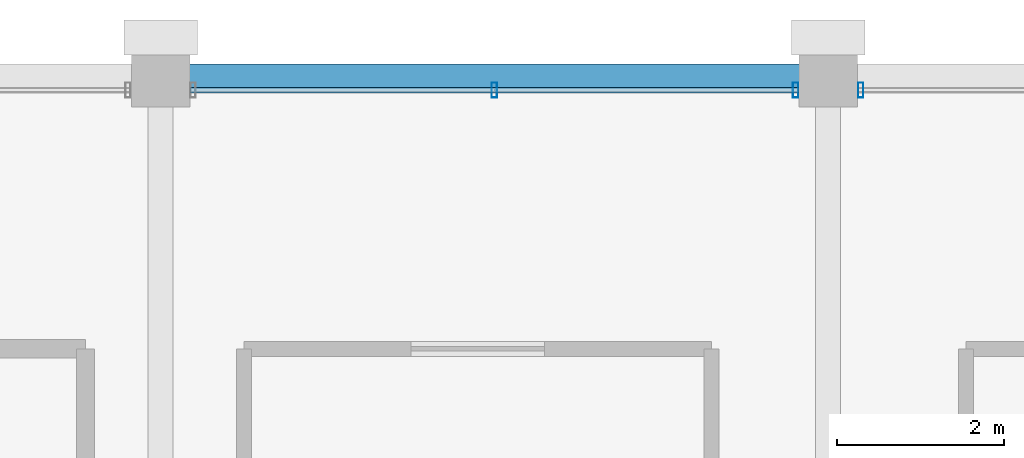
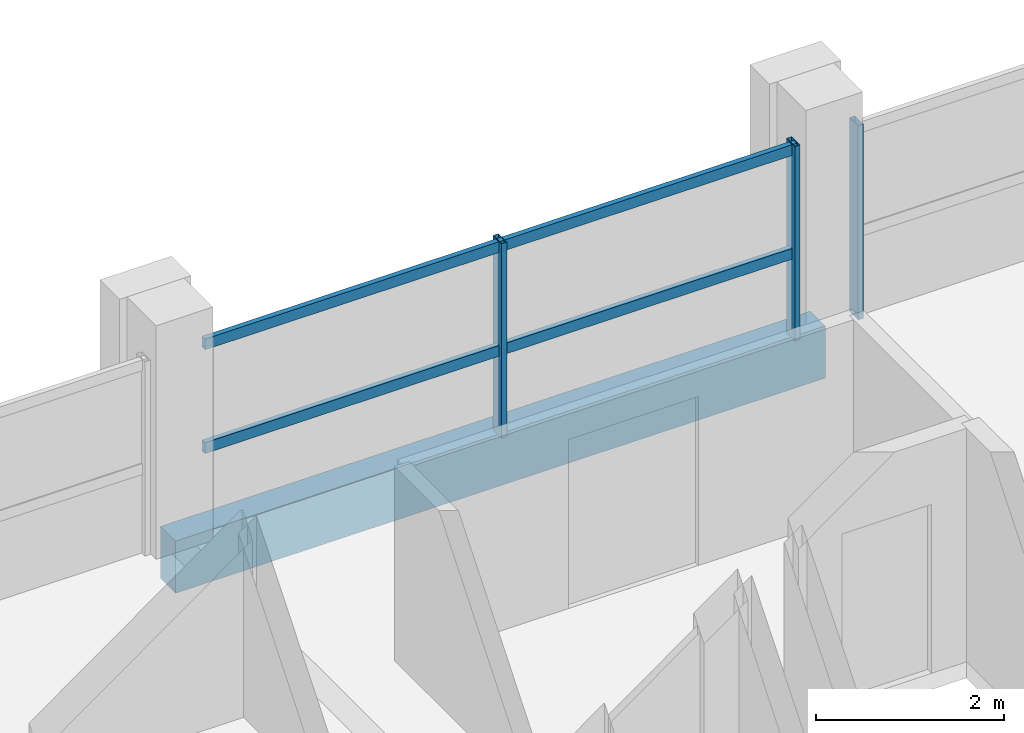
# One storey, part 16 of 24: 5 members, 1 beam, 2 elements without a shape of their own.
"""IFC4 building model written with IfcOpenShell, lengths in metres."""

from ifc_helpers import new_model, si_unit, direction, frame, origin, origin_2d, place, context, subcontext, project, spatial, rectangle, hollow_rectangle, extrude, material, material_profile, profile_set, type_object, element, aggregate, save


model = new_model("IFC4")

# Units and contexts
model_context = context("Model", 3, precision=1e-05, world=origin(), true_north=direction((0.0, 1.0)))
body_context = subcontext(model_context, "Body", "Model", "MODEL_VIEW")
ifc_project = project(units=[si_unit("LENGTHUNIT", "METRE"), si_unit("AREAUNIT", "SQUARE_METRE"), si_unit("VOLUMEUNIT", "CUBIC_METRE"), si_unit("PLANEANGLEUNIT", "RADIAN"), si_unit("MASSUNIT", "GRAM", prefix="KILO")], contexts=[model_context])

# Site, building, storey
site_placement = place(None, origin())
site = spatial("IfcSite", under=ifc_project, at=site_placement, CompositionType="ELEMENT")
building_placement = place(site_placement, origin())
building = spatial("IfcBuilding", under=site, at=building_placement, Name="Akrevak Sports Hall", CompositionType="ELEMENT")
storey_placement = place(building_placement, frame((0.0, 0.0, 60.050048828125)))
storey = spatial("IfcBuildingStorey", under=building, at=storey_placement, Name="L15", CompositionType="ELEMENT", Elevation=60.050048828125)

# Curtain wall, member
ifc_material_1 = material(Name="Anodized Bronze Aluminium & Low-E Glass", Category="aluminium")
curtain_wall_type = type_object("IfcCurtainWallType", Name="ARC-CW-TWR-56x30", PredefinedType="NOTDEFINED", material=ifc_material_1)
curtain_wall_1_placement = place(storey_placement, origin())
curtain_wall_1 = element("IfcCurtainWall", 1, at=curtain_wall_1_placement, inside=storey, type_object=curtain_wall_type, Name="Curtain Wall CW-L15-N20", PredefinedType="NOTDEFINED")
ifc_material_2 = material(Name="Anodized Bronze Aluminium", Category="aluminium")
ifc_material_profile_1 = material_profile(ifc_material_2, hollow_rectangle(XDim=0.06494140625, YDim=0.179931640625, WallThickness=0.00390625, at=origin_2d()), Name="CWM 65x180", Category="aluminium")
ifc_profile_set_1 = profile_set([ifc_material_profile_1], Name="Anodized Bronze Aluminium")
member_type_1 = type_object("IfcMemberType", Name="ARC-CWM-65x140", PredefinedType="MULLION", material=ifc_profile_set_1)
member_1_placement = place(storey_placement, frame((76.389892578125, 69.449951171875, 0.0), z_axis=(0.0, 0.0, 1.0), x_axis=(-1.0, 0.0, 0.0)))
member_1 = element("IfcMember", 2, at=member_1_placement, type_object=member_type_1, Name="Curtain Wall Mullion CW-L15-N20-M3", PredefinedType="MULLION", context=body_context, shape_type="SweptSolid", body=[
    extrude(hollow_rectangle(XDim=0.06494140625, YDim=0.179931640625, WallThickness=0.00390625, at=origin_2d()), origin(), (0.0, 0.0, 1.0), 2.530029296875),
])
aggregate(curtain_wall_1, [member_1])

# Curtain wall, members
curtain_wall_2_placement = place(storey_placement, origin())
curtain_wall_2 = element("IfcCurtainWall", 3, at=curtain_wall_2_placement, inside=storey, type_object=curtain_wall_type, Name="Curtain Wall CW-L15-N21", PredefinedType="NOTDEFINED")
member_2_placement = place(storey_placement, frame((75.610107421875, 69.449951171875, 0.0), z_axis=(0.0, 0.0, 1.0), x_axis=(-1.0, 0.0, 0.0)))
member_2 = element("IfcMember", 4, at=member_2_placement, type_object=member_type_1, Name="Curtain Wall Mullion CW-L15-N21-M1", PredefinedType="MULLION", context=body_context, shape_type="SweptSolid", body=[
    extrude(hollow_rectangle(XDim=0.06494140625, YDim=0.179931640625, WallThickness=0.00390625, at=origin_2d()), origin(), (0.0, 0.0, 1.0), 2.530029296875),
])
member_3_placement = place(storey_placement, frame((72.0, 69.449951171875, 0.0), z_axis=(0.0, 0.0, 1.0), x_axis=(-1.0, 0.0, 0.0)))
member_3 = element("IfcMember", 5, at=member_3_placement, type_object=member_type_1, Name="Curtain Wall Mullion CW-L15-N21-M2", PredefinedType="MULLION", context=body_context, shape_type="SweptSolid", body=[
    extrude(hollow_rectangle(XDim=0.06494140625, YDim=0.179931640625, WallThickness=0.00390625, at=origin_2d()), origin(), (0.0, 0.0, 1.0), 2.530029296875),
])
ifc_material_profile_2 = material_profile(ifc_material_2, hollow_rectangle(XDim=0.06494140625, YDim=0.139892578125, WallThickness=0.00390625, at=origin_2d()), Name="CWT 65x140", Category="aluminium")
ifc_profile_set_2 = profile_set([ifc_material_profile_2], Name="Anodized Bronze Aluminium")
member_type_2 = type_object("IfcMemberType", Name="ARC-CWT-65x110", PredefinedType="USERDEFINED", material=ifc_profile_set_2)
member_4_placement = place(storey_placement, frame((75.64990234375, 69.449951171875, 1.099853515625), z_axis=(-1.0, 0.0, 0.0), x_axis=(0.0, -1.0, 0.0)))
member_4 = element("IfcMember", 6, at=member_4_placement, type_object=member_type_2, Name="Curtain Wall Transom CW-L15-N21-T1", ObjectType="TRANSOM", PredefinedType="USERDEFINED", context=body_context, shape_type="SweptSolid", body=[
    extrude(hollow_rectangle(XDim=0.06494140625, YDim=0.139892578125, WallThickness=0.00390625, at=origin_2d()), origin(), (0.0, 0.0, 1.0), 7.2998046875),
])
member_5_placement = place(storey_placement, frame((75.64990234375, 69.449951171875, 2.449951171875), z_axis=(-1.0, 0.0, 0.0), x_axis=(0.0, -1.0, 0.0)))
member_5 = element("IfcMember", 7, at=member_5_placement, type_object=member_type_2, Name="Curtain Wall Transom CW-L15-N21-T2", ObjectType="TRANSOM", PredefinedType="USERDEFINED", context=body_context, shape_type="SweptSolid", body=[
    extrude(hollow_rectangle(XDim=0.06494140625, YDim=0.139892578125, WallThickness=0.00390625, at=origin_2d()), origin(), (0.0, 0.0, 1.0), 7.2998046875),
])
aggregate(curtain_wall_2, [member_2, member_3, member_4, member_5])

# Beam
ifc_material_3 = material(Name="Concrete C40/50", Category="concrete")
ifc_material_profile_3 = material_profile(ifc_material_3, rectangle(XDim=0.320068359375, YDim=0.679931640625, at=origin_2d()), Name="SPD 320x680", Category="concrete")
ifc_profile_set_3 = profile_set([ifc_material_profile_3], Name="Concrete C40/50")
beam_type = type_object("IfcBeamType", Name="STR-SPD-RC320x680", PredefinedType="SPANDREL", material=ifc_profile_set_3)
beam_placement = place(storey_placement, frame((68.0, 69.60009765625, -0.340087890625), z_axis=(1.0, 0.0, 0.0), x_axis=(0.0, 1.0, 0.0)))
element("IfcBeam", 8, at=beam_placement, inside=storey, type_object=beam_type, Name="Girder K/10-11 (L15)", PredefinedType="SPANDREL", context=body_context, shape_type="SweptSolid", body=[
    extrude(rectangle(XDim=0.320068359375, YDim=0.679931640625, at=origin_2d()), origin(), (0.0, 0.0, 1.0), 8.0),
])

save(model, "model.ifc")
